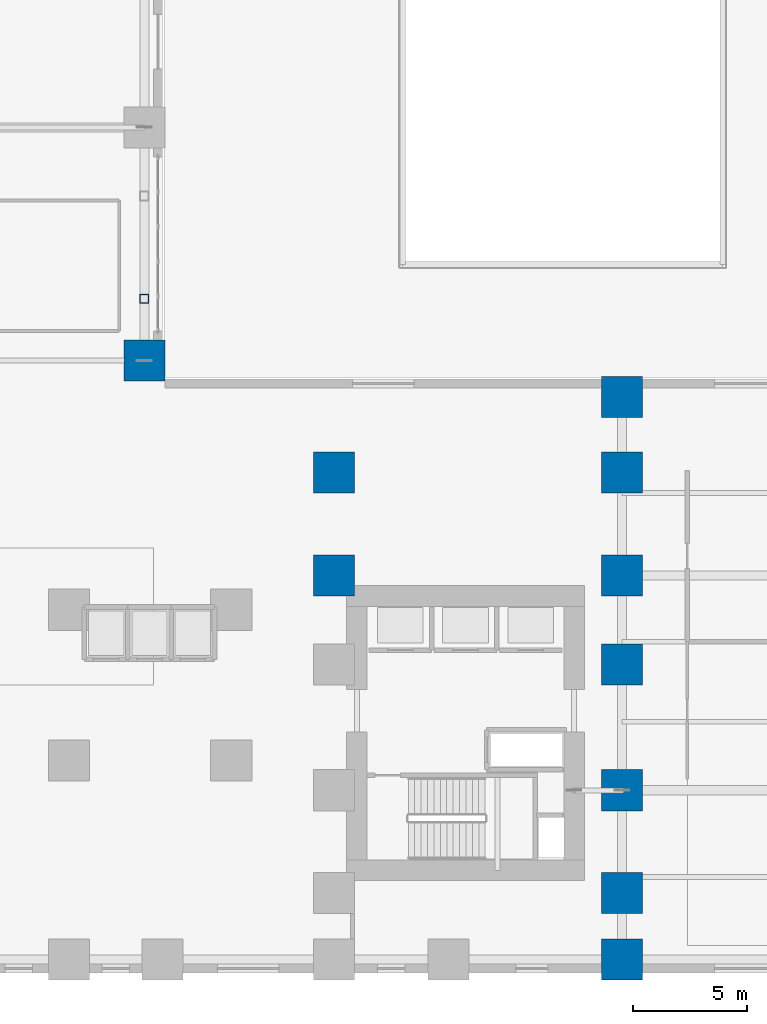
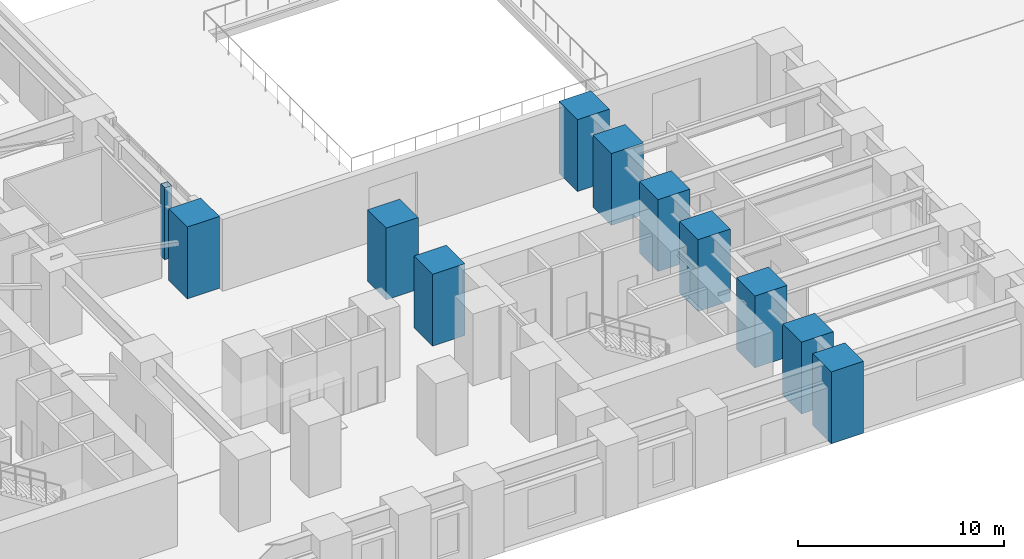
# One storey, part 2 of 23: 11 columns.
"""IFC4 building model written with IfcOpenShell, lengths in metres."""

import ifcopenshell
import ifcopenshell.guid

model = None  # the IFC model being written
_history = None  # IfcOwnerHistory: only IFC2X3 demands one
_inside = {}  # id of a spatial element -> (the spatial element, [elements in it])
_under = {}  # id of a project, library or spatial element -> (it, [spatial elements below it])
_declared = {}  # id of a project -> (the project, [libraries it declares])
_typed = {}  # id of a type object -> (the type object, [elements of that type])
_made_of = {}  # id of a material, layer set ... -> (it, [elements and type objects made of it])


def new_model(schema):
    """Start an empty IFC model of exactly this schema.

    Asked for "IFC4X3", IfcOpenShell would pick the latest addendum, in which some entities
    have other attributes; the version numbers below select the first issue.
    IFC2X3 requires an IfcOwnerHistory on every rooted entity: one is made here for all.
    """
    global model, _history
    if schema == "IFC4X3":
        model = ifcopenshell.file(schema_version=(4, 3, 0, 0))
    else:
        model = ifcopenshell.file(schema=schema)
    _inside.clear()
    _under.clear()
    _declared.clear()
    _typed.clear()
    _made_of.clear()
    _history = None
    if model.schema == "IFC2X3":
        org = make("IfcOrganization", Name="unknown")
        user = make(
            "IfcPersonAndOrganization",
            ThePerson=make("IfcPerson", FamilyName="unknown"),
            TheOrganization=org,
        )
        app = make(
            "IfcApplication",
            ApplicationDeveloper=org,
            Version="unknown",
            ApplicationFullName="unknown",
            ApplicationIdentifier="unknown",
        )
        _history = make(
            "IfcOwnerHistory",
            OwningUser=user,
            OwningApplication=app,
            ChangeAction="ADDED",
            CreationDate=0,
        )
    return model


def make(cls, **values):
    """One entity of the class cls with the attributes given. An attribute that is None is left unset."""
    return model.create_entity(
        cls, **{name: value for name, value in values.items() if value is not None}
    )


def rooted(cls, **values):
    """An entity with a GlobalId (a new one), such as an element, a storey or a relation."""
    return make(cls, GlobalId=ifcopenshell.guid.new(), OwnerHistory=_history, **values)


def si_unit(unit_type, name, prefix=None):
    """IfcSIUnit, for example si_unit("LENGTHUNIT", "METRE", prefix="MILLI")."""
    return make("IfcSIUnit", UnitType=unit_type, Prefix=prefix, Name=name)


def assignment(units):
    """IfcUnitAssignment: the units of a project."""
    return None if units is None else make("IfcUnitAssignment", Units=units)


def point(xyz):
    """IfcCartesianPoint."""
    return None if xyz is None else make("IfcCartesianPoint", Coordinates=xyz)


def direction(xyz):
    """IfcDirection."""
    return None if xyz is None else make("IfcDirection", DirectionRatios=xyz)


def frame(location, z_axis=None, x_axis=None):
    """IfcAxis2Placement3D, a coordinate frame: its origin and axes. An axis left out is left unset."""
    return make(
        "IfcAxis2Placement3D",
        Location=point(location),
        Axis=direction(z_axis),
        RefDirection=direction(x_axis),
    )


def frame_2d(location, x_axis=None):
    """IfcAxis2Placement2D, a coordinate frame in the plane: its origin and x axis."""
    return make(
        "IfcAxis2Placement2D", Location=point(location), RefDirection=direction(x_axis)
    )


def origin():
    """The frame at (0, 0, 0) with its axes left unset."""
    return frame((0.0, 0.0, 0.0))


def origin_2d():
    """The frame at (0, 0) in the plane with its x axis left unset."""
    return frame_2d((0.0, 0.0))


def place(relative_to, where):
    """IfcLocalPlacement: puts the frame where relative to a parent placement (None: the world)."""
    return make(
        "IfcLocalPlacement", PlacementRelTo=relative_to, RelativePlacement=where
    )


def context(
    kind, dimensions, precision=None, world=None, true_north=None, identifier=None
):
    """IfcGeometricRepresentationContext, for example the 3D "Model" context."""
    return make(
        "IfcGeometricRepresentationContext",
        ContextIdentifier=identifier,
        ContextType=kind,
        CoordinateSpaceDimension=dimensions,
        Precision=precision,
        WorldCoordinateSystem=world,
        TrueNorth=true_north,
    )


def subcontext(parent, identifier, kind, view, scale=None):
    """IfcGeometricRepresentationSubContext, for example "Body" below "Model"."""
    return make(
        "IfcGeometricRepresentationSubContext",
        ContextIdentifier=identifier,
        ContextType=kind,
        ParentContext=parent,
        TargetScale=scale,
        TargetView=view,
    )


def project(units=None, contexts=None):
    """IfcProject with its units and contexts."""
    return rooted(
        "IfcProject",
        Name="project",
        RepresentationContexts=contexts,
        UnitsInContext=assignment(units),
    )


def spatial(cls, under=None, at=None, **own):
    """A site, building, storey or space (cls), placed at a placement, below another one or the project."""
    s = rooted(cls, ObjectPlacement=at, **own)
    if under is not None:
        _under.setdefault(under.id(), (under, []))[1].append(s)
    return s


def profile(cls, at=None, kind="AREA", **sizes):
    """A parametric profile (cls). Its sizes go by their IFC names, for example OverallWidth=200.0."""
    return make(cls, ProfileType=kind, Position=at, **sizes)


def rectangle(**sizes):
    """IfcRectangleProfileDef."""
    return profile("IfcRectangleProfileDef", **sizes)


def hollow_rectangle(**sizes):
    """IfcRectangleHollowProfileDef."""
    return profile("IfcRectangleHollowProfileDef", **sizes)


def extrude(swept, where, along, depth):
    """IfcExtrudedAreaSolid: the profile swept, set in the frame where, extruded along a direction by depth."""
    return make(
        "IfcExtrudedAreaSolid",
        SweptArea=swept,
        Position=where,
        ExtrudedDirection=direction(along),
        Depth=depth,
    )


def shape(context_of_items, identifier, shape_type, items):
    """IfcShapeRepresentation: the items that make up one representation, for example the "Body"."""
    return make(
        "IfcShapeRepresentation",
        ContextOfItems=context_of_items,
        RepresentationIdentifier=identifier,
        RepresentationType=shape_type,
        Items=items,
    )


def source(mapping_origin, context_of_items, identifier, shape_type, items):
    """IfcRepresentationMap: a shape defined once, which mapped items show again and again."""
    return make(
        "IfcRepresentationMap",
        MappingOrigin=mapping_origin,
        MappedRepresentation=shape(context_of_items, identifier, shape_type, items),
    )


def transform(
    local_origin,
    x_axis=None,
    y_axis=None,
    z_axis=None,
    scale=None,
    scale2=None,
    scale3=None,
    uniform=True,
):
    """IfcCartesianTransformationOperator3D, or its non-uniform kind. x_axis, y_axis, z_axis: its Axis1, 2, 3."""
    if uniform:
        return make(
            "IfcCartesianTransformationOperator3D",
            Axis1=direction(x_axis),
            Axis2=direction(y_axis),
            LocalOrigin=point(local_origin),
            Scale=scale,
            Axis3=direction(z_axis),
        )
    return make(
        "IfcCartesianTransformationOperator3DnonUniform",
        Axis1=direction(x_axis),
        Axis2=direction(y_axis),
        LocalOrigin=point(local_origin),
        Scale=scale,
        Axis3=direction(z_axis),
        Scale2=scale2,
        Scale3=scale3,
    )


def mapped(mapping_source, mapping_target):
    """IfcMappedItem: shows the shape of a source again, moved by a transform."""
    return make(
        "IfcMappedItem", MappingSource=mapping_source, MappingTarget=mapping_target
    )


def material(Name=None, Category=None):
    """IfcMaterial."""
    return make("IfcMaterial", Name=Name, Category=Category)


def material_profile(
    of_material, cross_section, Name=None, Category=None, Priority=None
):
    """IfcMaterialProfile: a cross section and its material."""
    return make(
        "IfcMaterialProfile",
        Name=Name,
        Material=of_material,
        Profile=cross_section,
        Priority=Priority,
        Category=Category,
    )


def profile_set(profiles, Name=None, composite=None):
    """IfcMaterialProfileSet."""
    return make(
        "IfcMaterialProfileSet",
        Name=Name,
        MaterialProfiles=profiles,
        CompositeProfile=composite,
    )


def made_of(thing, what):
    """Note that an element or type object is made of a material, layer set ...; save() writes the relation."""
    if what is not None:
        _made_of.setdefault(what.id(), (what, []))[1].append(thing)
    return thing


def type_object(cls, material=None, **own):
    """A type object (cls), such as IfcWallType, which elements share."""
    return made_of(rooted(cls, **own), material)


def element(
    cls,
    number,
    at=None,
    inside=None,
    cuts=None,
    type_object=None,
    material=None,
    context=None,
    identifier="Body",
    shape_type=None,
    held_by="IfcProductDefinitionShape",
    body=None,
    shapes=None,
    **own,
):
    """One element of the class cls, such as IfcWall. Its Tag is "e" and its number.

    at: its placement. inside: the storey or other place that contains it. cuts: it is an
    opening in that element (IfcRelVoidsElement). A single representation is given by context,
    identifier, shape_type and body (its items); several are given by shapes. held_by: the class
    of the entity that holds the representations. save() writes the other relations.
    """
    e = rooted(cls, Tag="e%d" % number, ObjectPlacement=at, **own)
    if body is not None:
        shapes = [shape(context, identifier, shape_type, body)]
    if shapes is not None:
        e.Representation = make(held_by, Representations=shapes)
    if inside is not None:
        _inside.setdefault(inside.id(), (inside, []))[1].append(e)
    if cuts is not None:
        rooted(
            "IfcRelVoidsElement", RelatingBuildingElement=cuts, RelatedOpeningElement=e
        )
    if type_object is not None:
        _typed.setdefault(type_object.id(), (type_object, []))[1].append(e)
    return made_of(e, material)


def aggregate(whole, parts):
    """IfcRelAggregates: a whole, such as a stair, and the parts it consists of."""
    return rooted("IfcRelAggregates", RelatingObject=whole, RelatedObjects=parts)


def save(model, path):
    """Write the relations noted so far, then the file.

    IfcRelAggregates (storeys below a building ...), IfcRelContainedInSpatialStructure (elements
    in a storey), IfcRelDefinesByType, IfcRelAssociatesMaterial and IfcRelDeclares: one each for
    every whole, place, type object, material and project.
    """
    for whole, parts in _under.values():
        aggregate(whole, parts)
    for where, things in _inside.values():
        rooted(
            "IfcRelContainedInSpatialStructure",
            RelatedElements=things,
            RelatingStructure=where,
        )
    for kind, things in _typed.values():
        rooted("IfcRelDefinesByType", RelatedObjects=things, RelatingType=kind)
    for what, things in _made_of.values():
        rooted("IfcRelAssociatesMaterial", RelatedObjects=things, RelatingMaterial=what)
    for by, libraries in _declared.values():
        rooted("IfcRelDeclares", RelatingContext=by, RelatedDefinitions=libraries)
    model.write(path)


model = new_model("IFC4")

# Units and contexts
model_context = context("Model", 3, precision=1e-05, world=origin(), true_north=direction((0.0, 1.0)))
body_context = subcontext(model_context, "Body", "Model", "MODEL_VIEW")
ifc_project = project(units=[si_unit("LENGTHUNIT", "METRE"), si_unit("AREAUNIT", "SQUARE_METRE"), si_unit("VOLUMEUNIT", "CUBIC_METRE"), si_unit("PLANEANGLEUNIT", "RADIAN"), si_unit("MASSUNIT", "GRAM", prefix="KILO")], contexts=[model_context])

# Site, building, storey
site_placement = place(None, origin())
site = spatial("IfcSite", under=ifc_project, at=site_placement, CompositionType="ELEMENT")
building_placement = place(site_placement, origin())
building = spatial("IfcBuilding", under=site, at=building_placement, Name="Kharzan Plaza Tower", CompositionType="ELEMENT")
storey_placement = place(building_placement, origin())
storey = spatial("IfcBuildingStorey", under=building, at=storey_placement, Name="L00", CompositionType="ELEMENT", Elevation=0.0)

# Columns
ifc_material_1 = material(Name="Concrete C60/75", Category="concrete")
ifc_material_profile_1 = material_profile(ifc_material_1, rectangle(XDim=1.800048828125, YDim=1.800048828125, at=origin_2d()), Name="RC-MC1800x1800")
ifc_profile_set_1 = profile_set([ifc_material_profile_1], Name="Concrete C60/75")
column_type_1 = type_object("IfcColumnType", Name="COL-MC1800", PredefinedType="COLUMN", material=ifc_profile_set_1)
shared_shape_1 = source(origin(), body_context, "Body", "SweptSolid", [
    extrude(rectangle(XDim=1.800048828125, YDim=1.800048828125, at=origin_2d()), origin(), (0.0, 0.0, 1.0), 4.25),
])
for number, where, z_axis, x_axis, name in (
    (1, (47.60009765625, 0.60009765625, 0.0), (0.0, 0.0, 1.0), (1.0, 0.0, 0.0), "L00 Podium Mega-Column MC18"),
    (2, (26.699951171875, 26.800048828125, 0.0), (0.0, 0.0, 1.0), (1.0, 0.0, 0.0), "L00 Podium Mega-Column MC23"),
    (3, (47.60009765625, 3.5, 0.0), (0.0, 0.0, 1.0), (1.0, 0.0, 0.0), "L00 Podium Mega-Column MC31"),
    (4, (47.60009765625, 8.0, 0.0), (0.0, 0.0, 1.0), (1.0, 0.0, 0.0), "L00 Podium Mega-Column MC32"),
    (5, (47.60009765625, 13.5, 0.0), (0.0, 0.0, 1.0), (1.0, 0.0, 0.0), "L00 Podium Mega-Column MC33"),
    (6, (47.60009765625, 17.39990234375, 0.0), (0.0, 0.0, 1.0), (1.0, 0.0, 0.0), "L00 Podium Mega-Column MC34"),
    (7, (47.60009765625, 21.89990234375, 0.0), (0.0, 0.0, 1.0), (1.0, 0.0, 0.0), "L00 Podium Mega-Column MC35"),
    (8, (47.60009765625, 25.199951171875, 0.0), (0.0, 0.0, 1.0), (1.0, 0.0, 0.0), "L00 Podium Mega-Column MC36"),
    (9, (35.0, 17.39990234375, 0.0), (0.0, 0.0, 1.0), (1.0, 0.0, 0.0), "L00 Podium Mega-Column MC48"),
    (10, (35.0, 21.89990234375, 0.0), (0.0, 0.0, 1.0), (1.0, 0.0, 0.0), "L00 Podium Mega-Column MC49"),
):
    element("IfcColumn", number, at=place(storey_placement, frame(where, z_axis=z_axis, x_axis=x_axis)), inside=storey, type_object=column_type_1, Name=name, PredefinedType="COLUMN", context=body_context, shape_type="MappedRepresentation", body=[
        mapped(shared_shape_1, transform((0.0, 0.0, 0.0), x_axis=(1.0, 0.0, 0.0), y_axis=(0.0, 1.0, 0.0), z_axis=(0.0, 0.0, 1.0))),
    ])
ifc_material_2 = material(Name="Steel S355", Category="steel")
ifc_material_profile_2 = material_profile(ifc_material_2, hollow_rectangle(XDim=0.39990234375, YDim=0.39990234375, WallThickness=0.02001953125, at=origin_2d()), Name="SHS400x400x20")
ifc_profile_set_2 = profile_set([ifc_material_profile_2], Name="Steel S355")
column_type_2 = type_object("IfcColumnType", Name="COL-PIL400", PredefinedType="PILASTER", material=ifc_profile_set_2)
shared_shape_2 = source(origin(), body_context, "Body", "SweptSolid", [
    extrude(hollow_rectangle(XDim=0.39990234375, YDim=0.39990234375, WallThickness=0.02001953125, at=origin_2d()), origin(), (0.0, 0.0, 1.0), 4.25),
])
column_placement = place(storey_placement, frame((26.699951171875, 29.5, 0.0), z_axis=(0.0, 0.0, 1.0), x_axis=(1.0, 0.0, 0.0)))
element("IfcColumn", 11, at=column_placement, inside=storey, type_object=column_type_2, Name="L00 Portal Steel Pilaster 1", PredefinedType="PILASTER", context=body_context, shape_type="MappedRepresentation", body=[
    mapped(shared_shape_2, transform((0.0, 0.0, 0.0), x_axis=(1.0, 0.0, 0.0), y_axis=(0.0, 1.0, 0.0), z_axis=(0.0, 0.0, 1.0))),
])

save(model, "model.ifc")
